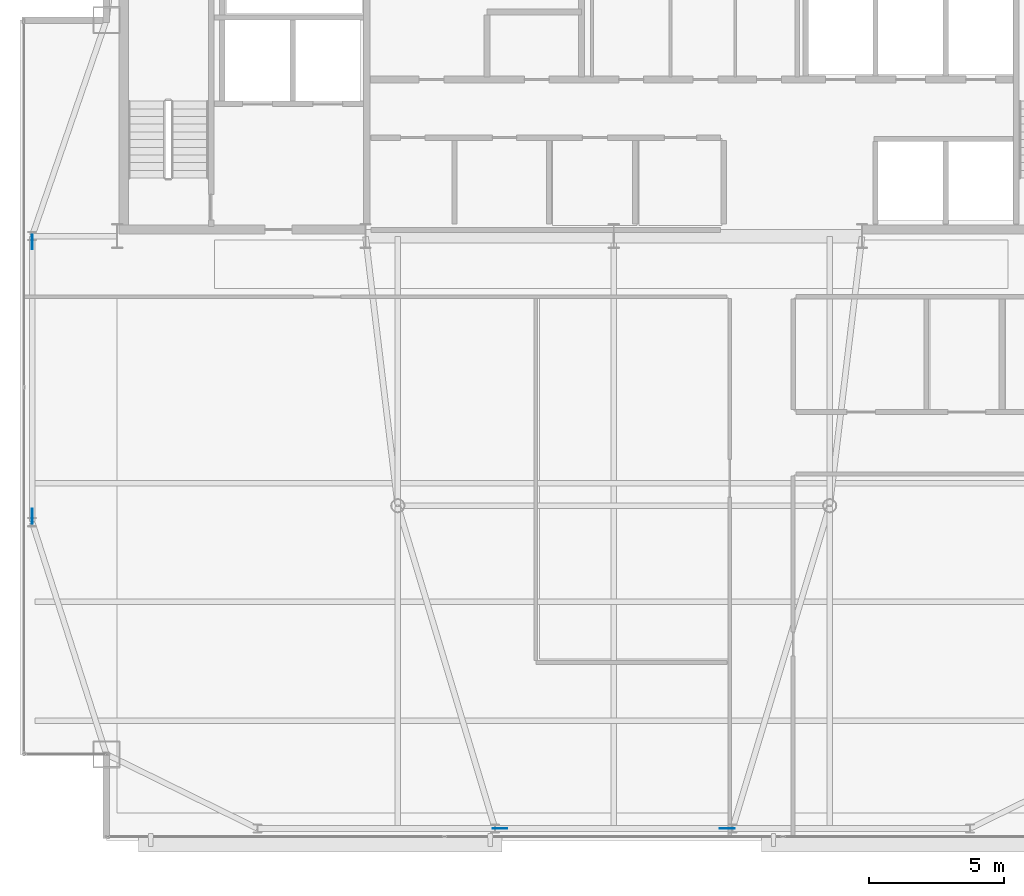
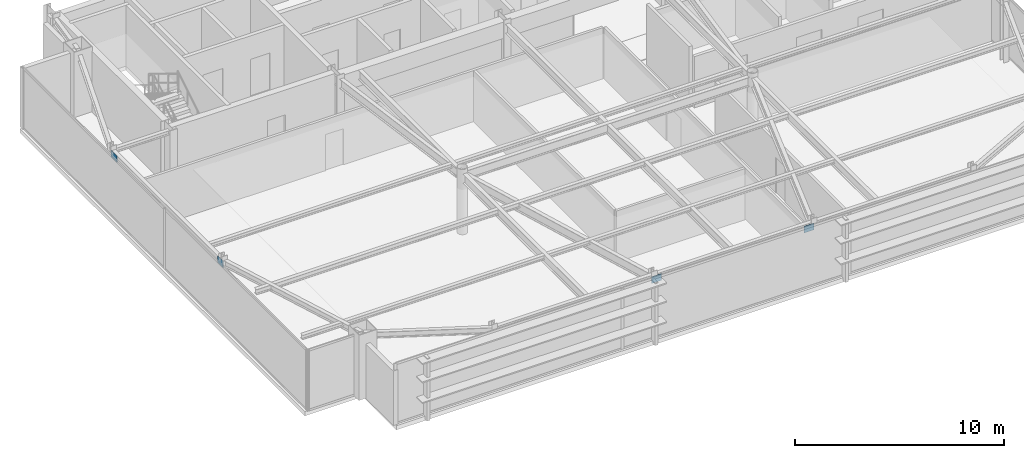
# One storey, part 19 of 24: 4 plates.
"""IFC4 building model written with IfcOpenShell, lengths in metres."""

from ifc_helpers import new_model, si_unit, direction, frame, origin, origin_2d, place, context, subcontext, project, spatial, rectangle, extrude, source, transform, mapped, material, layer, layer_set, type_object, type_shapes, element, save


model = new_model("IFC4")

# Units and contexts
model_context = context("Model", 3, precision=1e-05, world=origin(), true_north=direction((0.0, 1.0)))
body_context = subcontext(model_context, "Body", "Model", "MODEL_VIEW")
ifc_project = project(units=[si_unit("LENGTHUNIT", "METRE"), si_unit("AREAUNIT", "SQUARE_METRE"), si_unit("VOLUMEUNIT", "CUBIC_METRE"), si_unit("PLANEANGLEUNIT", "RADIAN"), si_unit("MASSUNIT", "GRAM", prefix="KILO")], contexts=[model_context])

# Site, building, storey
site_placement = place(None, origin())
site = spatial("IfcSite", under=ifc_project, at=site_placement, CompositionType="ELEMENT")
building_placement = place(site_placement, origin())
building = spatial("IfcBuilding", under=site, at=building_placement, Name="Varnel Quay Broadcast Tower", CompositionType="ELEMENT")
storey_placement = place(building_placement, frame((0.0, 0.0, 269.800048828125)))
storey = spatial("IfcBuildingStorey", under=building, at=storey_placement, Name="L67", CompositionType="ELEMENT", Elevation=269.800048828125)

# Plates
ifc_material = material(Name="Structural Steel CSA G40.21 350WT", Category="steel")
ifc_layer = layer(ifc_material, 0.031982421875, Name="Structural Steel CSA G40.21 350WT")
ifc_layer_set = layer_set([ifc_layer], Name="Structural Steel CSA G40.21 350WT")
plate_type = type_object("IfcPlateType", Name="Plate_EndCap", PredefinedType="USERDEFINED", material=ifc_layer_set)
shared_shape = source(origin(), body_context, "Body", "SweptSolid", [
    extrude(rectangle(XDim=0.5400390625, YDim=0.031982421875, at=origin_2d()), origin(), (0.0, 0.0, 1.0), 0.3798828125),
])
type_shapes(plate_type, [shared_shape])
for number, where, z_axis, x_axis, name in (
    (1, (38.206787109375, 13.64990234375, 3.0126953125), (0.0, 0.0, 1.0), (1.0, 0.0, 0.0), "Zone 5 Mega-Brace S-C1T1 Diag A End Connection Plate P1"),
    (2, (29.793212890625, 13.64990234375, 3.0126953125), (0.0, 0.0, 1.0), (1.0, 0.0, 0.0), "Zone 5 Mega-Brace S-C1T1 Diag B2 End Connection Plate P1"),
    (3, (12.449951171875, 35.3798828125, 3.0302734375), (0.0, 0.0, 1.0), (0.0, 1.0, 0.0), "Zone 5 Mega-Brace W-FT1 Diag A End Connection Plate P1"),
    (4, (12.449951171875, 25.22021484375, 3.0302734375), (0.0, 0.0, 1.0), (0.0, 1.0, 0.0), "Zone 5 Mega-Brace W-FT1 Diag B2 End Connection Plate P1"),
):
    element("IfcPlate", number, at=place(storey_placement, frame(where, z_axis=z_axis, x_axis=x_axis)), inside=storey, type_object=plate_type, Name=name, ObjectType="CAP_PLATE", PredefinedType="USERDEFINED", context=body_context, shape_type="MappedRepresentation", body=[
        mapped(shared_shape, transform((0.0, 0.0, 0.0), x_axis=(1.0, 0.0, 0.0), y_axis=(0.0, 1.0, 0.0), z_axis=(0.0, 0.0, 1.0), scale=1.0)),
    ])

save(model, "model.ifc")
